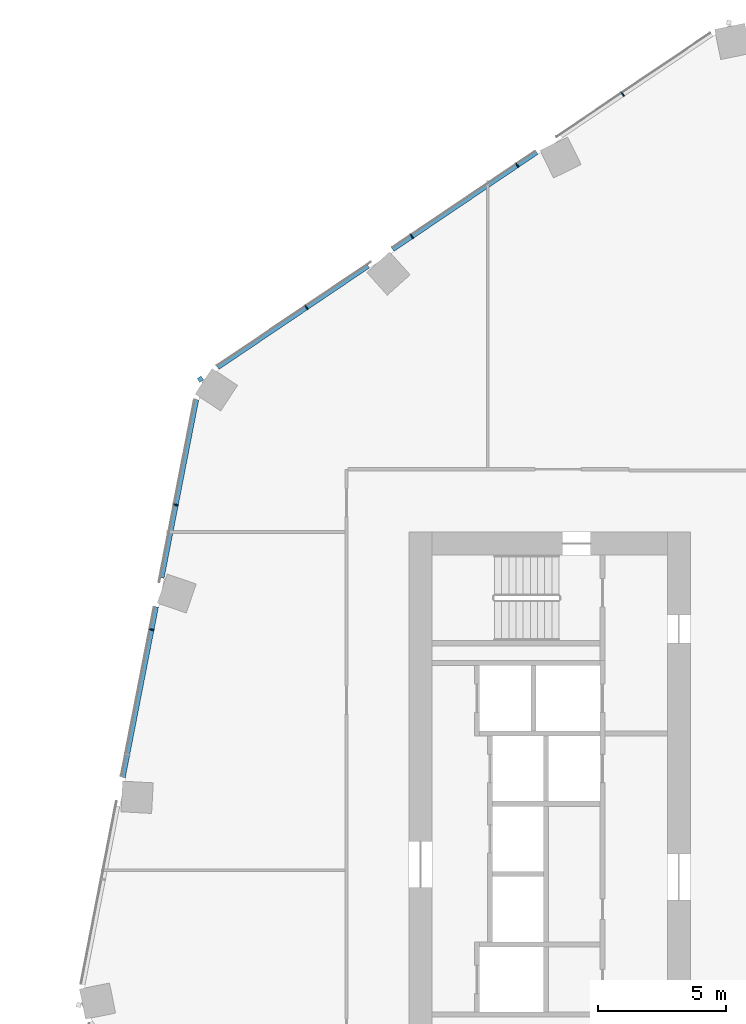
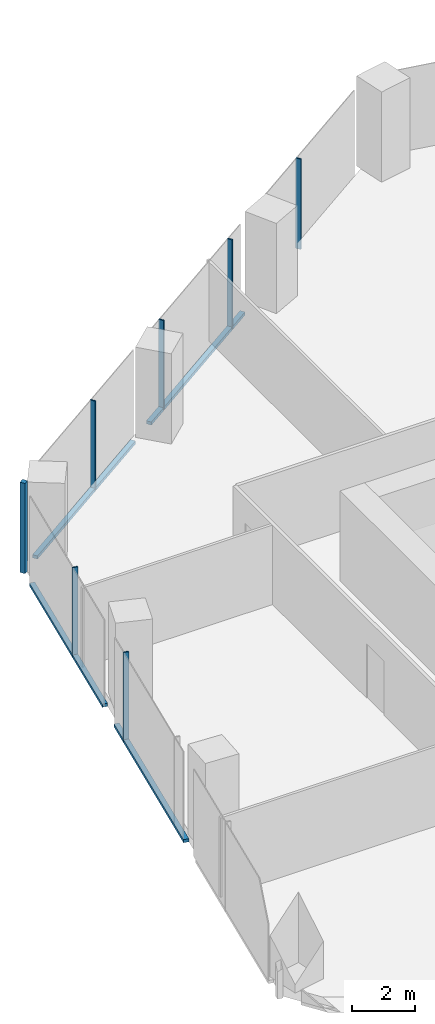
# One storey, part 9 of 26: 11 members, 2 elements without a shape of their own.
"""IFC4 building model written with IfcOpenShell, lengths in metres."""

from ifc_helpers import new_model, si_unit, direction, frame, origin, origin_2d, place, context, subcontext, project, spatial, rectangle, extrude, material, material_profile, profile_set, type_object, element, aggregate, save


model = new_model("IFC4")

# Units and contexts
model_context = context("Model", 3, precision=1e-05, world=origin(), true_north=direction((0.0, 1.0)))
body_context = subcontext(model_context, "Body", "Model", "MODEL_VIEW")
ifc_project = project(units=[si_unit("LENGTHUNIT", "METRE"), si_unit("AREAUNIT", "SQUARE_METRE"), si_unit("VOLUMEUNIT", "CUBIC_METRE"), si_unit("PLANEANGLEUNIT", "RADIAN"), si_unit("MASSUNIT", "GRAM", prefix="KILO")], contexts=[model_context])

# Site, building, storey
site_placement = place(None, origin())
site = spatial("IfcSite", under=ifc_project, at=site_placement, CompositionType="ELEMENT")
building_placement = place(site_placement, origin())
building = spatial("IfcBuilding", under=site, at=building_placement, Name="Orlundy Tower", CompositionType="ELEMENT")
storey_placement = place(building_placement, frame((0.0, 0.0, 156.10009765625)))
storey = spatial("IfcBuildingStorey", under=building, at=storey_placement, Name="L40", CompositionType="ELEMENT", Elevation=156.10009765625)

# Curtain wall, member
ifc_material_1 = material(Name="Aluminium bronze anodised", Category="aluminium")
curtain_wall_type = type_object("IfcCurtainWallType", Name="CW1 wall", PredefinedType="NOTDEFINED", material=ifc_material_1)
curtain_wall_1_placement = place(storey_placement, origin())
curtain_wall_1 = element("IfcCurtainWall", 1, at=curtain_wall_1_placement, inside=storey, type_object=curtain_wall_type, Name="CW1 run 03", PredefinedType="NOTDEFINED")
ifc_material_2 = material(Name="Aluminium bronze anodised", Category="aluminium")
ifc_material_profile_1 = material_profile(ifc_material_2, rectangle(XDim=0.179931640625, YDim=0.179931640625, at=origin_2d()), Name="CW1 corner post 180x180")
ifc_profile_set_1 = profile_set([ifc_material_profile_1], Name="Aluminium bronze anodised")
member_type_1 = type_object("IfcMemberType", Name="CW1 corner post 180x180", PredefinedType="MULLION", material=ifc_profile_set_1)
member_1_placement = place(storey_placement, frame((-27.1591796875, 17.975830078125, -0.400146484375), z_axis=(0.0, 0.0, 1.0), x_axis=(-0.559204698608, 0.829029616512, 0.0)))
member_1 = element("IfcMember", 2, at=member_1_placement, type_object=member_type_1, Name="CW1 mullion 14", PredefinedType="MULLION", context=body_context, shape_type="SweptSolid", body=[
    extrude(rectangle(XDim=0.179931640625, YDim=0.179931640625, at=origin_2d()), origin(), (0.0, 0.0, 1.0), 3.5),
])

# Curtain wall, members
curtain_wall_2_placement = place(storey_placement, origin())
curtain_wall_2 = element("IfcCurtainWall", 3, at=curtain_wall_2_placement, inside=storey, type_object=curtain_wall_type, Name="CW1 run 02", PredefinedType="NOTDEFINED")
ifc_material_3 = material(Name="Aluminium bronze anodised", Category="aluminium")
ifc_material_profile_2 = material_profile(ifc_material_3, rectangle(XDim=0.179931640625, YDim=0.050048828125, at=origin_2d()), Name="CW1 mullion 50x180")
ifc_profile_set_2 = profile_set([ifc_material_profile_2], Name="Aluminium bronze anodised")
member_type_2 = type_object("IfcMemberType", Name="CW1 mullion 50x180", PredefinedType="MULLION", material=ifc_profile_set_2)
member_2_placement = place(storey_placement, frame((-29.063232421875, 8.1806640625, -0.400146484375), z_axis=(0.0, 0.0, 1.0), x_axis=(-0.981627952333, 0.19080503976, 0.0)))
member_2 = element("IfcMember", 4, at=member_2_placement, type_object=member_type_2, Name="CW1 mullion 12", PredefinedType="MULLION", context=body_context, shape_type="SweptSolid", body=[
    extrude(rectangle(XDim=0.179931640625, YDim=0.050048828125, at=origin_2d()), origin(), (0.0, 0.0, 1.0), 3.5),
])
member_3_placement = place(storey_placement, frame((-28.11474609375, 13.06005859375, -0.400146484375), z_axis=(0.0, 0.0, 1.0), x_axis=(-0.981627952333, 0.19080503976, 0.0)))
member_3 = element("IfcMember", 5, at=member_3_placement, type_object=member_type_2, Name="CW1 mullion 13", PredefinedType="MULLION", context=body_context, shape_type="SweptSolid", body=[
    extrude(rectangle(XDim=0.179931640625, YDim=0.050048828125, at=origin_2d()), origin(), (0.0, 0.0, 1.0), 3.5),
])

# Member
member_4_placement = place(storey_placement, frame((-23.007568359375, 20.776123046875, -0.400146484375), z_axis=(0.0, 0.0, 1.0), x_axis=(-0.559204698608, 0.829029616512, 0.0)))
member_4 = element("IfcMember", 6, at=member_4_placement, type_object=member_type_2, Name="CW1 mullion 15", PredefinedType="MULLION", context=body_context, shape_type="SweptSolid", body=[
    extrude(rectangle(XDim=0.179931640625, YDim=0.050048828125, at=origin_2d()), origin(), (0.0, 0.0, 1.0), 3.5),
])

member_5_placement = place(storey_placement, frame((-18.88671875, 23.555908203125, -0.400146484375), z_axis=(0.0, 0.0, 1.0), x_axis=(-0.559204698608, 0.829029616512, 0.0)))
member_5 = element("IfcMember", 7, at=member_5_placement, type_object=member_type_2, Name="CW1 mullion 16", PredefinedType="MULLION", context=body_context, shape_type="SweptSolid", body=[
    extrude(rectangle(XDim=0.179931640625, YDim=0.050048828125, at=origin_2d()), origin(), (0.0, 0.0, 1.0), 3.5),
])

member_6_placement = place(storey_placement, frame((-14.765869140625, 26.33544921875, -0.400146484375), z_axis=(0.0, 0.0, 1.0), x_axis=(-0.559204698608, 0.829029616512, 0.0)))
member_6 = element("IfcMember", 8, at=member_6_placement, type_object=member_type_2, Name="CW1 mullion 17", PredefinedType="MULLION", context=body_context, shape_type="SweptSolid", body=[
    extrude(rectangle(XDim=0.179931640625, YDim=0.050048828125, at=origin_2d()), origin(), (0.0, 0.0, 1.0), 3.5),
])

member_7_placement = place(storey_placement, frame((-10.64501953125, 29.114990234375, -0.400146484375), z_axis=(0.0, 0.0, 1.0), x_axis=(-0.559204698608, 0.829029616512, 0.0)))
member_7 = element("IfcMember", 9, at=member_7_placement, type_object=member_type_2, Name="CW1 mullion 18", PredefinedType="MULLION", context=body_context, shape_type="SweptSolid", body=[
    extrude(rectangle(XDim=0.179931640625, YDim=0.050048828125, at=origin_2d()), origin(), (0.0, 0.0, 1.0), 3.5),
])

ifc_material_4 = material(Name="Aluminium bronze anodised", Category="aluminium")
ifc_material_profile_3 = material_profile(ifc_material_4, rectangle(XDim=0.179931640625, YDim=0.1201171875, at=origin_2d()), Name="CW1 transom 180x120")
ifc_profile_set_3 = profile_set([ifc_material_profile_3], Name="Aluminium bronze anodised")
member_type_3 = type_object("IfcMemberType", Name="CW1 transom 180x120", PredefinedType="USERDEFINED", material=ifc_profile_set_3)
member_8_placement = place(storey_placement, frame((-30.185546875, 2.406494140625, -0.340087890625), z_axis=(0.190799450764, 0.981629038684, 0.0), x_axis=(-0.981629038684, 0.190799450764, 0.0)))
member_8 = element("IfcMember", 10, at=member_8_placement, type_object=member_type_3, Name="CW1 transom", ObjectType="TRANSOM", PredefinedType="USERDEFINED", context=body_context, shape_type="SweptSolid", body=[
    extrude(rectangle(XDim=0.179931640625, YDim=0.1201171875, at=origin_2d()), origin(), (0.0, 0.0, 1.0), 6.79443359375),
])

member_9_placement = place(storey_placement, frame((-28.6708984375, 10.19921875, -0.340087890625), z_axis=(0.190824629914, 0.981624144272, 0.0), x_axis=(-0.981624144272, 0.190824629914, 0.0)))
member_9 = element("IfcMember", 11, at=member_9_placement, type_object=member_type_3, Name="CW1 transom", ObjectType="TRANSOM", PredefinedType="USERDEFINED", context=body_context, shape_type="SweptSolid", body=[
    extrude(rectangle(XDim=0.179931640625, YDim=0.1201171875, at=origin_2d()), origin(), (0.0, 0.0, 1.0), 7.11083984375),
])

aggregate(curtain_wall_2, [member_2, member_3, member_8, member_9])

member_10_placement = place(storey_placement, frame((-26.485595703125, 18.43017578125, -0.340087890625), z_axis=(0.82903432821, 0.559197713381, 0.0), x_axis=(-0.559197713381, 0.82903432821, 0.0)))
member_10 = element("IfcMember", 12, at=member_10_placement, type_object=member_type_3, Name="CW1 transom", ObjectType="TRANSOM", PredefinedType="USERDEFINED", context=body_context, shape_type="SweptSolid", body=[
    extrude(rectangle(XDim=0.179931640625, YDim=0.1201171875, at=origin_2d()), origin(), (0.0, 0.0, 1.0), 7.1025390625),
])

member_11_placement = place(storey_placement, frame((-19.642822265625, 23.0458984375, -0.340087890625), z_axis=(0.829031068429, 0.559202546114, 0.0), x_axis=(-0.559202546114, 0.829031068429, 0.0)))
member_11 = element("IfcMember", 13, at=member_11_placement, type_object=member_type_3, Name="CW1 transom", ObjectType="TRANSOM", PredefinedType="USERDEFINED", context=body_context, shape_type="SweptSolid", body=[
    extrude(rectangle(XDim=0.179931640625, YDim=0.1201171875, at=origin_2d()), origin(), (0.0, 0.0, 1.0), 6.794921875),
])

aggregate(curtain_wall_1, [member_1, member_4, member_5, member_6, member_7, member_10, member_11])

save(model, "model.ifc")
